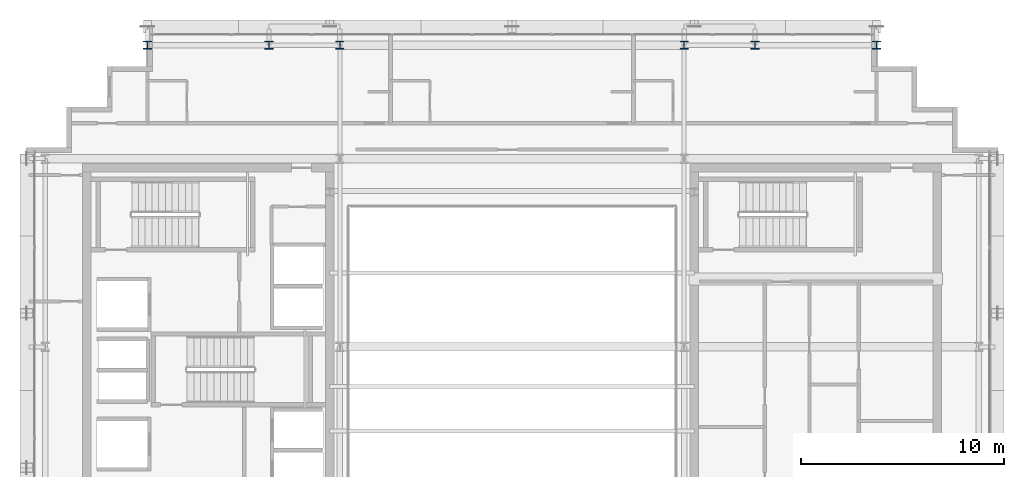
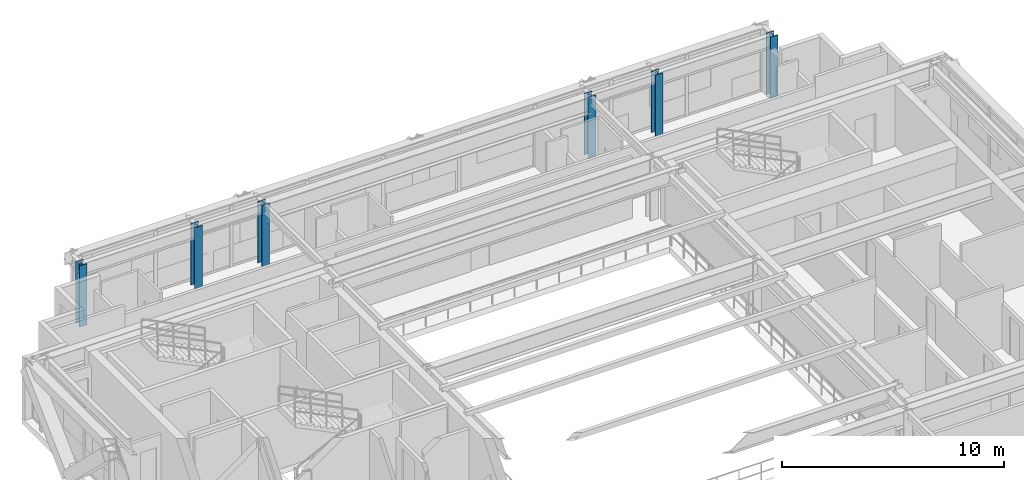
# One storey, part 2 of 29: 6 columns.
"""IFC4 building model written with IfcOpenShell, lengths in metres."""

from ifc_helpers import new_model, si_unit, direction, frame, origin, origin_2d, place, context, subcontext, project, spatial, i_section, extrude, source, transform, mapped, material, material_profile, profile_set, type_object, element, save


model = new_model("IFC4")

# Units and contexts
model_context = context("Model", 3, precision=1e-05, world=origin(), true_north=direction((0.0, 1.0)))
body_context = subcontext(model_context, "Body", "Model", "MODEL_VIEW")
ifc_project = project(units=[si_unit("LENGTHUNIT", "METRE"), si_unit("AREAUNIT", "SQUARE_METRE"), si_unit("VOLUMEUNIT", "CUBIC_METRE"), si_unit("PLANEANGLEUNIT", "RADIAN"), si_unit("MASSUNIT", "GRAM", prefix="KILO")], contexts=[model_context])

# Site, building, storey
site_placement = place(None, origin())
site = spatial("IfcSite", under=ifc_project, at=site_placement, CompositionType="ELEMENT")
building_placement = place(site_placement, origin())
building = spatial("IfcBuilding", under=site, at=building_placement, Name="Ocotamira Hotel", CompositionType="ELEMENT")
storey_placement = place(building_placement, frame((0.0, 0.0, 247.199951171875)))
storey = spatial("IfcBuildingStorey", under=building, at=storey_placement, Name="L62", CompositionType="ELEMENT", Elevation=247.199951171875)

# Columns
ifc_material = material(Name="Steel ASTM A992 Grade 50", Category="steel")
ifc_material_profile = material_profile(ifc_material, i_section(OverallWidth=0.39892578125, OverallDepth=0.386962890625, WebThickness=0.02099609375, FlangeThickness=0.033203125, FilletRadius=0.02490234375, at=origin_2d()), Name="W14X176")
ifc_profile_set = profile_set([ifc_material_profile], Name="Steel ASTM A992 Grade 50")
column_type = type_object("IfcColumnType", Name="COL-W14X176", PredefinedType="COLUMN", material=ifc_profile_set)
shared_shape = source(origin(), body_context, "Body", "SweptSolid", [
    extrude(i_section(OverallWidth=0.39892578125, OverallDepth=0.386962890625, WebThickness=0.02099609375, FlangeThickness=0.033203125, FilletRadius=0.02490234375, at=origin_2d()), origin(), (0.0, 0.0, 1.0), 3.380126953125),
])
for number, where, z_axis, x_axis, name in (
    (1, (14.0, 43.050048828125, 0.0), (0.0, 0.0, 1.0), (1.0, 0.0, 0.0), "L62 Column NSP2_14"),
    (2, (20.0, 43.050048828125, 0.0), (0.0, 0.0, 1.0), (1.0, 0.0, 0.0), "L62 Column NSP2_20"),
    (3, (23.5, 43.050048828125, 0.0), (0.0, 0.0, 1.0), (1.0, 0.0, 0.0), "L62 Column NSP2_23"),
    (4, (40.5, 43.050048828125, 0.0), (0.0, 0.0, 1.0), (1.0, 0.0, 0.0), "L62 Column NSP2_40"),
    (5, (44.0, 43.050048828125, 0.0), (0.0, 0.0, 1.0), (1.0, 0.0, 0.0), "L62 Column NSP2_44"),
    (6, (50.0, 43.050048828125, 0.0), (0.0, 0.0, 1.0), (1.0, 0.0, 0.0), "L62 Column NSP2_50"),
):
    element("IfcColumn", number, at=place(storey_placement, frame(where, z_axis=z_axis, x_axis=x_axis)), inside=storey, type_object=column_type, Name=name, PredefinedType="COLUMN", context=body_context, shape_type="MappedRepresentation", body=[
        mapped(shared_shape, transform((0.0, 0.0, 0.0), scale=1.0)),
    ])

save(model, "model.ifc")
